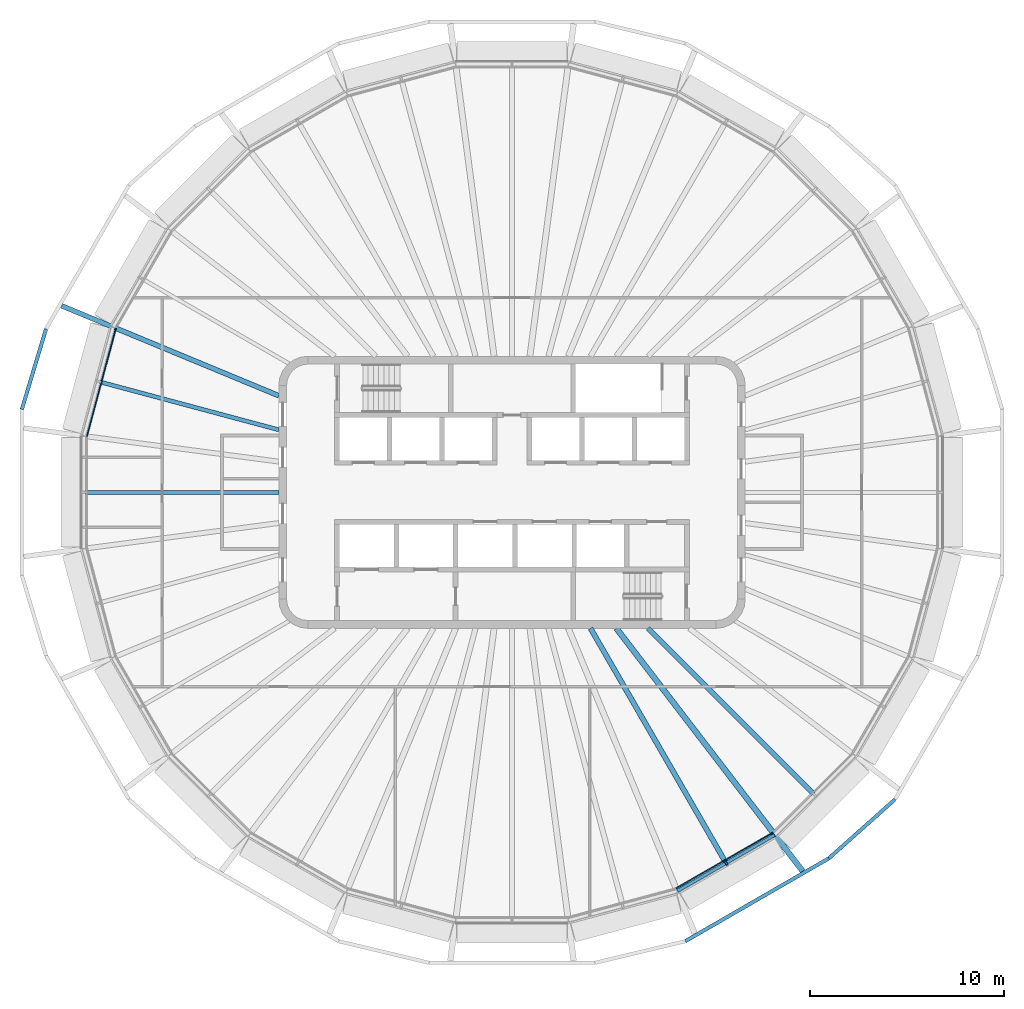
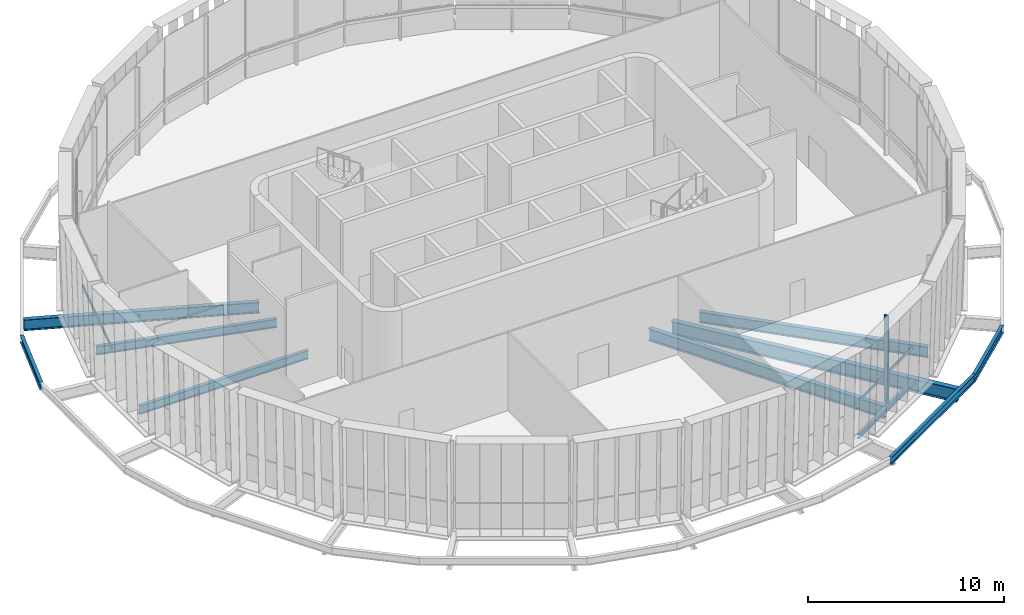
# One storey, part 2 of 14: 10 beams, 3 members, 2 elements without a shape of their own.
"""IFC4 building model written with IfcOpenShell, lengths in metres."""

from ifc_helpers import new_model, si_unit, direction, frame, origin, origin_2d, place, context, subcontext, project, spatial, rectangle, i_section, extrude, material, layer, layer_set, material_profile, profile_set, type_object, element, aggregate, save


model = new_model("IFC4")

# Units and contexts
model_context = context("Model", 3, precision=1e-05, world=origin(), true_north=direction((0.0, 1.0)))
body_context = subcontext(model_context, "Body", "Model", "MODEL_VIEW")
ifc_project = project(units=[si_unit("LENGTHUNIT", "METRE"), si_unit("AREAUNIT", "SQUARE_METRE"), si_unit("VOLUMEUNIT", "CUBIC_METRE"), si_unit("PLANEANGLEUNIT", "RADIAN"), si_unit("MASSUNIT", "GRAM", prefix="KILO")], contexts=[model_context])

# Site, building, storey
site_placement = place(None, origin())
site = spatial("IfcSite", under=ifc_project, at=site_placement, CompositionType="ELEMENT")
building_placement = place(site_placement, origin())
building = spatial("IfcBuilding", under=site, at=building_placement, Name="Sahrelin Media Tower", CompositionType="ELEMENT")
storey_placement = place(building_placement, frame((0.0, 0.0, 329.800048828125)))
storey = spatial("IfcBuildingStorey", under=building, at=storey_placement, Name="L73", CompositionType="ELEMENT", Elevation=329.800048828125)

# Beam
ifc_material_1 = material(Name="Steel S355", Category="steel")
ifc_material_profile_1 = material_profile(ifc_material_1, i_section(OverallWidth=0.1650390625, OverallDepth=0.303466796875, WebThickness=0.006103515625, FlangeThickness=0.01025390625, FilletRadius=0.0087890625, at=origin_2d()), Name="UB 305x165x40")
ifc_profile_set_1 = profile_set([ifc_material_profile_1], Name="Steel S355")
beam_type_1 = type_object("IfcBeamType", Name="Edge beam EB2", PredefinedType="BEAM", material=ifc_profile_set_1)
beam_1_placement = place(storey_placement, frame((13.508544921875, -17.62841796875, -0.351806640625), z_axis=(-0.866034075723, -0.499984979461, 0.0), x_axis=(0.499984979461, -0.866034075723, 0.0)))
element("IfcBeam", 1, at=beam_1_placement, inside=storey, type_object=beam_type_1, Name="Edge beam L73-05", PredefinedType="BEAM", context=body_context, shape_type="SweptSolid", body=[
    extrude(i_section(OverallWidth=0.1650390625, OverallDepth=0.303466796875, WebThickness=0.006103515625, FlangeThickness=0.01025390625, FilletRadius=0.0087890625, at=origin_2d()), origin(), (0.0, 0.0, 1.0), 5.769287109375),
])

# Curtain wall, member
ifc_material_2 = material(Name="Champagne anodised aluminium 6063-T6", Category="aluminium")
ifc_layer = layer(ifc_material_2, 0.14990234375)
ifc_layer_set = layer_set([ifc_layer], Name="Observation curtain wall")
curtain_wall_type = type_object("IfcCurtainWallType", Name="Observation curtain wall", PredefinedType="NOTDEFINED", material=ifc_layer_set)
curtain_wall_1_placement = place(storey_placement, frame((11.08544921875, -19.200439453125, 0.0), z_axis=(0.0, 0.0, 1.0), x_axis=(1.0, 0.0, 0.0)))
curtain_wall_1 = element("IfcCurtainWall", 2, at=curtain_wall_1_placement, inside=storey, type_object=curtain_wall_type, Name="L73:CW:L73-20", PredefinedType="NOTDEFINED")
ifc_material_profile_2 = material_profile(ifc_material_2, rectangle(XDim=0.10009765625, YDim=0.25, at=origin_2d()), Name="Mullion 100x250")
ifc_profile_set_2 = profile_set([ifc_material_profile_2], Name="Champagne anodised aluminium 6063-T6")
member_type_1 = type_object("IfcMemberType", Name="Mullion 100x250 CW3B", PredefinedType="MULLION", material=ifc_profile_set_2)
member_1_placement = place(storey_placement, frame((11.012939453125, -19.074951171875, 0.0), z_axis=(0.0, 0.0, 1.0), x_axis=(0.866028894422, 0.49999395399, 0.0)))
member_1 = element("IfcMember", 3, at=member_1_placement, type_object=member_type_1, Name="L73:CWM:L73-20", PredefinedType="MULLION", context=body_context, shape_type="SweptSolid", body=[
    extrude(rectangle(XDim=0.10009765625, YDim=0.25, at=origin_2d()), origin(), (0.0, 0.0, 1.0), 5.448486328125),
])

# Beams
ifc_material_profile_3 = material_profile(ifc_material_1, i_section(OverallWidth=0.291748046875, OverallDepth=0.8349609375, WebThickness=0.013916015625, FlangeThickness=0.018798828125, FilletRadius=0.017822265625, at=origin_2d()), Name="UB 838x292x176")
ifc_profile_set_3 = profile_set([ifc_material_profile_3], Name="Steel S355")
beam_type_2 = type_object("IfcBeamType", Name="Radial primary beam PB10", PredefinedType="BEAM", material=ifc_profile_set_3)
beam_2_placement = place(storey_placement, frame((5.371337890625, -7.0, -0.617431640625), z_axis=(0.60875594027, -0.793357551919, 0.0), x_axis=(0.793357551919, 0.60875594027, 0.0)))
element("IfcBeam", 4, at=beam_2_placement, inside=storey, type_object=beam_type_2, Name="Radial beam L73-21", PredefinedType="BEAM", context=body_context, shape_type="SweptSolid", body=[
    extrude(i_section(OverallWidth=0.291748046875, OverallDepth=0.8349609375, WebThickness=0.013916015625, FlangeThickness=0.018798828125, FilletRadius=0.017822265625, at=origin_2d()), origin(), (0.0, 0.0, 1.0), 15.75),
])
ifc_material_profile_4 = material_profile(ifc_material_1, i_section(OverallWidth=0.2529296875, OverallDepth=0.677978515625, WebThickness=0.01171875, FlangeThickness=0.01611328125, FilletRadius=0.01513671875, at=origin_2d()), Name="UB 686x254x125")
ifc_profile_set_4 = profile_set([ifc_material_profile_4], Name="Steel S355")
beam_type_3 = type_object("IfcBeamType", Name="Radial primary beam PB8", PredefinedType="BEAM", material=ifc_profile_set_4)
beam_3_placement = place(storey_placement, frame((-12.0, 4.970703125, -0.5390625), z_axis=(-0.923883491489, 0.382673874408, 0.0), x_axis=(-0.382673874408, -0.923883491489, 0.0)))
element("IfcBeam", 5, at=beam_3_placement, inside=storey, type_object=beam_type_3, Name="Radial beam L73-11", PredefinedType="BEAM", context=body_context, shape_type="SweptSolid", body=[
    extrude(i_section(OverallWidth=0.2529296875, OverallDepth=0.677978515625, WebThickness=0.01171875, FlangeThickness=0.01611328125, FilletRadius=0.01513671875, at=origin_2d()), origin(), (0.0, 0.0, 1.0), 12.094970703125),
])
ifc_material_profile_5 = material_profile(ifc_material_1, i_section(OverallWidth=0.208740234375, OverallDepth=0.5283203125, WebThickness=0.009521484375, FlangeThickness=0.01318359375, FilletRadius=0.0126953125, at=origin_2d()), Name="UB 533x210x82")
ifc_profile_set_5 = profile_set([ifc_material_profile_5], Name="Steel S355")
beam_type_4 = type_object("IfcBeamType", Name="Radial secondary beam SB6", PredefinedType="BEAM", material=ifc_profile_set_5)
beam_4_placement = place(storey_placement, frame((-12.0, 3.21533203125, -0.464111328125), z_axis=(-0.965927207315, 0.258813890989, 0.0), x_axis=(-0.258813890989, -0.965927207315, 0.0)))
element("IfcBeam", 6, at=beam_4_placement, inside=storey, type_object=beam_type_4, Name="Secondary beam L73-11", PredefinedType="BEAM", context=body_context, shape_type="SweptSolid", body=[
    extrude(i_section(OverallWidth=0.208740234375, OverallDepth=0.5283203125, WebThickness=0.009521484375, FlangeThickness=0.01318359375, FilletRadius=0.0126953125, at=origin_2d()), origin(), (0.0, 0.0, 1.0), 9.51513671875),
])
beam_5_placement = place(storey_placement, frame((-12.0, 0.0, -0.464111328125), z_axis=(-1.0, 0.0, 0.0), x_axis=(0.0, -1.0, 0.0)))
element("IfcBeam", 7, at=beam_5_placement, inside=storey, type_object=beam_type_4, Name="Secondary beam L73-12", PredefinedType="BEAM", context=body_context, shape_type="SweptSolid", body=[
    extrude(i_section(OverallWidth=0.208740234375, OverallDepth=0.5283203125, WebThickness=0.009521484375, FlangeThickness=0.01318359375, FilletRadius=0.0126953125, at=origin_2d()), origin(), (0.0, 0.0, 1.0), 9.938232421875),
])
ifc_material_profile_6 = material_profile(ifc_material_1, i_section(OverallWidth=0.2529296875, OverallDepth=0.677978515625, WebThickness=0.01171875, FlangeThickness=0.01611328125, FilletRadius=0.01513671875, at=origin_2d()), Name="UB 686x254x125")
ifc_profile_set_6 = profile_set([ifc_material_profile_6], Name="Steel S355")
beam_type_5 = type_object("IfcBeamType", Name="Radial secondary beam SB8", PredefinedType="BEAM", material=ifc_profile_set_6)
beam_6_placement = place(storey_placement, frame((7.0, -7.0, -0.5390625), z_axis=(0.707106781187, -0.707106781187, 0.0), x_axis=(0.707106781187, 0.707106781187, 0.0)))
element("IfcBeam", 8, at=beam_6_placement, inside=storey, type_object=beam_type_5, Name="Secondary beam L73-21", PredefinedType="BEAM", context=body_context, shape_type="SweptSolid", body=[
    extrude(i_section(OverallWidth=0.2529296875, OverallDepth=0.677978515625, WebThickness=0.01171875, FlangeThickness=0.01611328125, FilletRadius=0.01513671875, at=origin_2d()), origin(), (0.0, 0.0, 1.0), 12.038818359375),
])
ifc_material_profile_7 = material_profile(ifc_material_1, i_section(OverallWidth=0.26513671875, OverallDepth=0.75390625, WebThickness=0.0126953125, FlangeThickness=0.017578125, FilletRadius=0.0166015625, at=origin_2d()), Name="UB 762x267x147")
ifc_profile_set_7 = profile_set([ifc_material_profile_7], Name="Steel S355")
beam_type_6 = type_object("IfcBeamType", Name="Radial secondary beam SB9", PredefinedType="BEAM", material=ifc_profile_set_7)
beam_7_placement = place(storey_placement, frame((4.04150390625, -7.0, -0.5771484375), z_axis=(0.499984294943, -0.866034470913, 0.0), x_axis=(0.866034470913, 0.499984294943, 0.0)))
element("IfcBeam", 9, at=beam_7_placement, inside=storey, type_object=beam_type_6, Name="Secondary beam L73-20", PredefinedType="BEAM", context=body_context, shape_type="SweptSolid", body=[
    extrude(i_section(OverallWidth=0.26513671875, OverallDepth=0.75390625, WebThickness=0.0126953125, FlangeThickness=0.017578125, FilletRadius=0.0166015625, at=origin_2d()), origin(), (0.0, 0.0, 1.0), 13.85546875),
])
ifc_material_profile_8 = material_profile(ifc_material_1, i_section(OverallWidth=0.1904296875, OverallDepth=0.45703125, WebThickness=0.009033203125, FlangeThickness=0.014404296875, FilletRadius=0.01025390625, at=origin_2d()), Name="UB 457x191x74")
ifc_profile_set_8 = profile_set([ifc_material_profile_8], Name="Steel S355")
beam_type_7 = type_object("IfcBeamType", Name="Tie chord TC5", PredefinedType="BEAM", material=ifc_profile_set_8)
beam_8_placement = place(storey_placement, frame((-23.9736328125, 8.4052734375, -0.428466796875), z_axis=(-0.288006438114, -0.957628472637, 0.0), x_axis=(0.957628472637, -0.288006438114, 0.0)))
element("IfcBeam", 10, at=beam_8_placement, inside=storey, type_object=beam_type_7, Name="Tie chord L73-11", PredefinedType="BEAM", context=body_context, shape_type="SweptSolid", body=[
    extrude(i_section(OverallWidth=0.1904296875, OverallDepth=0.45703125, WebThickness=0.009033203125, FlangeThickness=0.014404296875, FilletRadius=0.01025390625, at=origin_2d()), origin(), (0.0, 0.0, 1.0), 4.319091796875),
])
beam_9_placement = place(storey_placement, frame((8.911376953125, -23.09716796875, -0.428466796875), z_axis=(0.866017508599, 0.500013674614, 0.0), x_axis=(-0.500013674614, 0.866017508599, 0.0)))
element("IfcBeam", 11, at=beam_9_placement, inside=storey, type_object=beam_type_7, Name="Tie chord L73-20", PredefinedType="BEAM", context=body_context, shape_type="SweptSolid", body=[
    extrude(i_section(OverallWidth=0.1904296875, OverallDepth=0.45703125, WebThickness=0.009033203125, FlangeThickness=0.014404296875, FilletRadius=0.01025390625, at=origin_2d()), origin(), (0.0, 0.0, 1.0), 8.538818359375),
])
beam_10_placement = place(storey_placement, frame((16.30615234375, -18.82763671875, -0.428466796875), z_axis=(0.746648216974, 0.665219091795, 0.0), x_axis=(-0.665219091795, 0.746648216974, 0.0)))
element("IfcBeam", 12, at=beam_10_placement, inside=storey, type_object=beam_type_7, Name="Tie chord L73-21", PredefinedType="BEAM", context=body_context, shape_type="SweptSolid", body=[
    extrude(i_section(OverallWidth=0.1904296875, OverallDepth=0.45703125, WebThickness=0.009033203125, FlangeThickness=0.014404296875, FilletRadius=0.01025390625, at=origin_2d()), origin(), (0.0, 0.0, 1.0), 4.55126953125),
])

# Curtain wall, member
curtain_wall_2_placement = place(storey_placement, frame((-21.415283203125, 5.73828125, 0.0), z_axis=(0.0, 0.0, 1.0), x_axis=(1.0, 0.0, 0.0)))
curtain_wall_2 = element("IfcCurtainWall", 13, at=curtain_wall_2_placement, inside=storey, type_object=curtain_wall_type, Name="L73:CW:L73-11", PredefinedType="NOTDEFINED")
ifc_material_profile_9 = material_profile(ifc_material_2, rectangle(XDim=0.06005859375, YDim=0.179931640625, at=origin_2d()), Name="Transom 60x180")
ifc_profile_set_9 = profile_set([ifc_material_profile_9], Name="Champagne anodised aluminium 6063-T6")
member_type_2 = type_object("IfcMemberType", Name="Transom 60x180 CW3B", PredefinedType="USERDEFINED", material=ifc_profile_set_9)
member_2_placement = place(storey_placement, frame((-20.383056640625, 8.431640625, 1.599853515625), z_axis=(-0.258830374631, -0.96592279048, 0.0), x_axis=(0.96592279048, -0.258830374631, 0.0)))
member_2 = element("IfcMember", 14, at=member_2_placement, type_object=member_type_2, Name="L73:CWT:L73-11", ObjectType="TRANSOM", PredefinedType="USERDEFINED", context=body_context, shape_type="SweptSolid", body=[
    extrude(rectangle(XDim=0.06005859375, YDim=0.179931640625, at=origin_2d()), origin(), (0.0, 0.0, 1.0), 5.73779296875),
])
aggregate(curtain_wall_2, [member_2])

# Member
member_3_placement = place(storey_placement, frame((8.450927734375, -20.375, 1.599853515625), z_axis=(0.866040328277, 0.49997414913, 0.0), x_axis=(-0.49997414913, 0.866040328277, 0.0)))
member_3 = element("IfcMember", 15, at=member_3_placement, type_object=member_type_2, Name="L73:CWT:L73-20", ObjectType="TRANSOM", PredefinedType="USERDEFINED", context=body_context, shape_type="SweptSolid", body=[
    extrude(rectangle(XDim=0.06005859375, YDim=0.179931640625, at=origin_2d()), origin(), (0.0, 0.0, 1.0), 5.737548828125),
])

aggregate(curtain_wall_1, [member_1, member_3])

save(model, "model.ifc")
